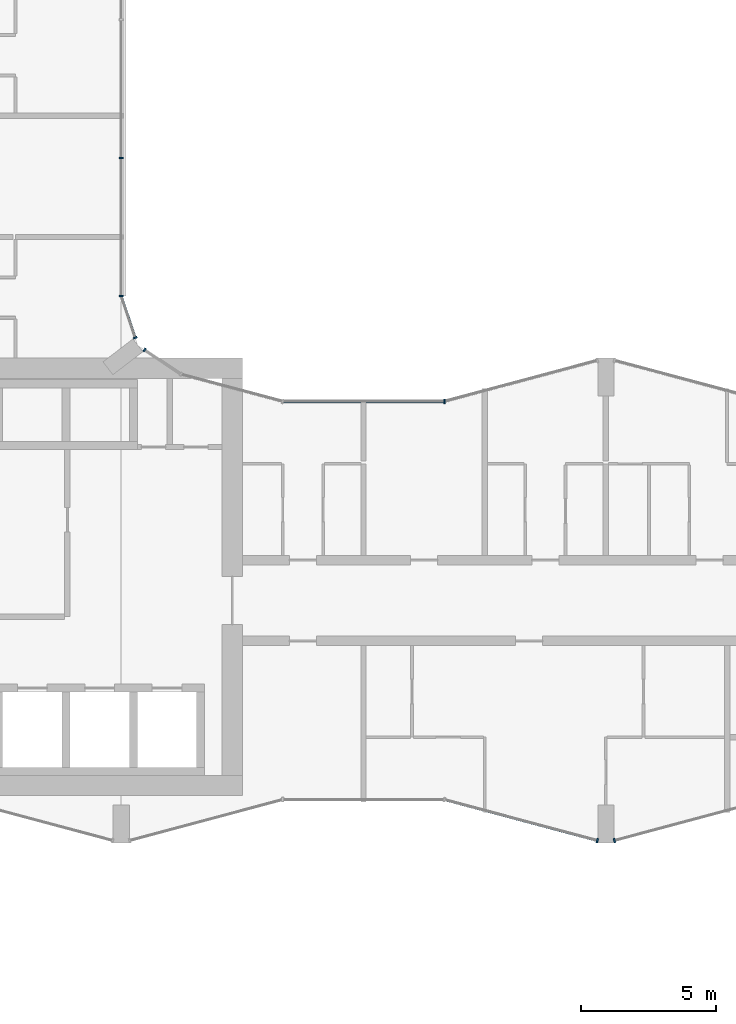
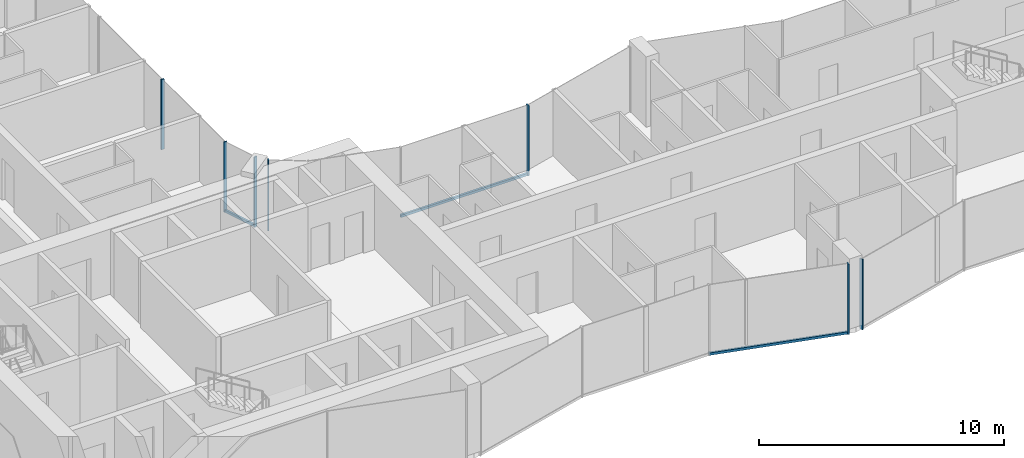
# One storey, part 4 of 24: 10 members, 6 elements without a shape of their own.
"""IFC4 building model written with IfcOpenShell, lengths in metres."""

from ifc_helpers import new_model, si_unit, direction, frame, origin, origin_2d, place, context, subcontext, project, spatial, rectangle, extrude, material, layer, layer_set, material_profile, profile_set, type_object, element, aggregate, save


model = new_model("IFC4")

# Units and contexts
model_context = context("Model", 3, precision=1e-05, world=origin(), true_north=direction((0.0, 1.0)))
body_context = subcontext(model_context, "Body", "Model", "MODEL_VIEW")
ifc_project = project(units=[si_unit("LENGTHUNIT", "METRE"), si_unit("AREAUNIT", "SQUARE_METRE"), si_unit("VOLUMEUNIT", "CUBIC_METRE"), si_unit("PLANEANGLEUNIT", "RADIAN"), si_unit("MASSUNIT", "GRAM", prefix="KILO")], contexts=[model_context])

# Site, building, storey
site_placement = place(None, origin())
site = spatial("IfcSite", under=ifc_project, at=site_placement, CompositionType="ELEMENT")
building_placement = place(site_placement, origin())
building = spatial("IfcBuilding", under=site, at=building_placement, Name="Plateau Cross Towers", CompositionType="ELEMENT")
storey_placement = place(building_placement, frame((0.0, 0.0, 47.800048828125)))
storey = spatial("IfcBuildingStorey", under=building, at=storey_placement, Name="L11", CompositionType="ELEMENT", Elevation=47.800048828125)

# Curtain wall, member
ifc_material_1 = material(Name="Dark low-iron glass", Category="glass")
ifc_layer_1 = layer(ifc_material_1, 0.239990234375)
ifc_layer_set_1 = layer_set([ifc_layer_1], Name="Dark low-iron glass")
curtain_wall_type_1 = type_object("IfcCurtainWallType", Name="Curtain wall flush unitised CW-B", PredefinedType="NOTDEFINED", material=ifc_layer_set_1)
curtain_wall_1_placement = place(storey_placement, origin())
curtain_wall_1 = element("IfcCurtainWall", 1, at=curtain_wall_1_placement, inside=storey, type_object=curtain_wall_type_1, Name="ENV/A/L11/A202_174", PredefinedType="NOTDEFINED")
ifc_material_2 = material(Name="Black anodised aluminium", Category="aluminium")
ifc_material_profile_1 = material_profile(ifc_material_2, rectangle(XDim=0.06005859375, YDim=0.139892578125, at=origin_2d()), Name="MULLION 60x140")
ifc_profile_set_1 = profile_set([ifc_material_profile_1], Name="Black anodised aluminium")
member_type_1 = type_object("IfcMemberType", Name="Mullion 60x140 flush unitised", PredefinedType="MULLION", material=ifc_profile_set_1)
member_1_placement = place(storey_placement, frame((18.86962890625, 18.30908203125, -0.25), z_axis=(0.0, 0.0, 1.0), x_axis=(-0.831521253329, 0.555492938984, 0.0)))
member_1 = element("IfcMember", 2, at=member_1_placement, type_object=member_type_1, Name="CW-B mullion 2", PredefinedType="MULLION", context=body_context, shape_type="SweptSolid", body=[
    extrude(rectangle(XDim=0.06005859375, YDim=0.139892578125, at=origin_2d()), origin(), (0.0, 0.0, 1.0), 3.5),
])
aggregate(curtain_wall_1, [member_1])

curtain_wall_2_placement = place(storey_placement, origin())
curtain_wall_2 = element("IfcCurtainWall", 3, at=curtain_wall_2_placement, inside=storey, type_object=curtain_wall_type_1, Name="ENV/A/L11/A185_188", PredefinedType="NOTDEFINED")
member_2_placement = place(storey_placement, frame((18.523681640625, 18.760009765625, -0.25), z_axis=(0.0, 0.0, 1.0), x_axis=(-0.321469161574, 0.94692004845, 0.0)))
member_2 = element("IfcMember", 4, at=member_2_placement, type_object=member_type_1, Name="CW-B mullion 1", PredefinedType="MULLION", context=body_context, shape_type="SweptSolid", body=[
    extrude(rectangle(XDim=0.06005859375, YDim=0.139892578125, at=origin_2d()), origin(), (0.0, 0.0, 1.0), 3.5),
])

# Curtain wall, members
curtain_wall_3_placement = place(storey_placement, origin())
curtain_wall_3 = element("IfcCurtainWall", 5, at=curtain_wall_3_placement, inside=storey, type_object=curtain_wall_type_1, Name="ENV/A/L11/A180_203", PredefinedType="NOTDEFINED")
member_3_placement = place(storey_placement, frame((18.0, 20.30224609375, -0.25), z_axis=(0.0, 0.0, 1.0), x_axis=(0.0, 1.0, 0.0)))
member_3 = element("IfcMember", 6, at=member_3_placement, type_object=member_type_1, Name="CW-B mullion 1", PredefinedType="MULLION", context=body_context, shape_type="SweptSolid", body=[
    extrude(rectangle(XDim=0.06005859375, YDim=0.139892578125, at=origin_2d()), origin(), (0.0, 0.0, 1.0), 3.5),
])
member_4_placement = place(storey_placement, frame((18.0, 25.434814453125, -0.25), z_axis=(0.0, 0.0, 1.0), x_axis=(0.0, 1.0, 0.0)))
member_4 = element("IfcMember", 7, at=member_4_placement, type_object=member_type_1, Name="CW-B mullion 2", PredefinedType="MULLION", context=body_context, shape_type="SweptSolid", body=[
    extrude(rectangle(XDim=0.06005859375, YDim=0.139892578125, at=origin_2d()), origin(), (0.0, 0.0, 1.0), 3.5),
])
aggregate(curtain_wall_3, [member_3, member_4])

# Curtain wall, member
ifc_layer_2 = layer(ifc_material_1, 0.260009765625)
ifc_layer_set_2 = layer_set([ifc_layer_2], Name="Dark low-iron glass")
curtain_wall_type_2 = type_object("IfcCurtainWallType", Name="Curtain wall fluted unitised CW-A", PredefinedType="NOTDEFINED", material=ifc_layer_set_2)
curtain_wall_4_placement = place(storey_placement, origin())
curtain_wall_4 = element("IfcCurtainWall", 8, at=curtain_wall_4_placement, inside=storey, type_object=curtain_wall_type_2, Name="ENV/A/L11/A300_16", PredefinedType="NOTDEFINED")
ifc_material_profile_2 = material_profile(ifc_material_2, rectangle(XDim=0.06005859375, YDim=0.159912109375, at=origin_2d()), Name="MULLION 60x160")
ifc_profile_set_2 = profile_set([ifc_material_profile_2], Name="Black anodised aluminium")
member_type_2 = type_object("IfcMemberType", Name="Mullion 60x160 fluted unitised", PredefinedType="MULLION", material=ifc_profile_set_2)
member_5_placement = place(storey_placement, frame((35.68212890625, 0.085205078125, -0.25), z_axis=(0.0, 0.0, 1.0), x_axis=(0.965957983404, -0.258699003279, 0.0)))
member_5 = element("IfcMember", 9, at=member_5_placement, type_object=member_type_2, Name="CW-A mullion 2", PredefinedType="MULLION", context=body_context, shape_type="SweptSolid", body=[
    extrude(rectangle(XDim=0.06005859375, YDim=0.159912109375, at=origin_2d()), origin(), (0.0, 0.0, 1.0), 3.5),
])

curtain_wall_5_placement = place(storey_placement, origin())
curtain_wall_5 = element("IfcCurtainWall", 10, at=curtain_wall_5_placement, inside=storey, type_object=curtain_wall_type_2, Name="ENV/A/L11/A363_1", PredefinedType="NOTDEFINED")
member_6_placement = place(storey_placement, frame((36.31787109375, 0.085205078125, -0.25), z_axis=(0.0, 0.0, 1.0), x_axis=(0.965957983404, 0.258699003279, 0.0)))
member_6 = element("IfcMember", 11, at=member_6_placement, type_object=member_type_2, Name="CW-A mullion 1", PredefinedType="MULLION", context=body_context, shape_type="SweptSolid", body=[
    extrude(rectangle(XDim=0.06005859375, YDim=0.159912109375, at=origin_2d()), origin(), (0.0, 0.0, 1.0), 3.5),
])
aggregate(curtain_wall_5, [member_6])

curtain_wall_6_placement = place(storey_placement, origin())
curtain_wall_6 = element("IfcCurtainWall", 12, at=curtain_wall_6_placement, inside=storey, type_object=curtain_wall_type_2, Name="ENV/A/L11/A300_164", PredefinedType="NOTDEFINED")
member_7_placement = place(storey_placement, frame((30.0, 16.39306640625, -0.25), z_axis=(0.0, 0.0, 1.0), x_axis=(-1.0, 0.0, 0.0)))
member_7 = element("IfcMember", 13, at=member_7_placement, type_object=member_type_2, Name="CW-A mullion 1", PredefinedType="MULLION", context=body_context, shape_type="SweptSolid", body=[
    extrude(rectangle(XDim=0.06005859375, YDim=0.159912109375, at=origin_2d()), origin(), (0.0, 0.0, 1.0), 3.5),
])

# Member
ifc_material_profile_3 = material_profile(ifc_material_2, rectangle(XDim=0.10009765625, YDim=0.1201171875, at=origin_2d()), Name="TRANSOM 100x120")
ifc_profile_set_3 = profile_set([ifc_material_profile_3], Name="Black anodised aluminium")
member_type_3 = type_object("IfcMemberType", Name="Transom 100x120 flush unitised", PredefinedType="USERDEFINED", material=ifc_profile_set_3)
member_8_placement = place(storey_placement, frame((18.523681640625, 18.760009765625, -0.18994140625), z_axis=(-0.321529174838, 0.946899672472, 0.0), x_axis=(-0.946899672472, -0.321529174838, 0.0)))
member_8 = element("IfcMember", 14, at=member_8_placement, type_object=member_type_3, Name="CW-B transom", ObjectType="TRANSOM", PredefinedType="USERDEFINED", context=body_context, shape_type="SweptSolid", body=[
    extrude(rectangle(XDim=0.10009765625, YDim=0.1201171875, at=origin_2d()), origin(), (0.0, 0.0, 1.0), 1.628662109375),
])

aggregate(curtain_wall_2, [member_2, member_8])

ifc_material_profile_4 = material_profile(ifc_material_2, rectangle(XDim=0.10009765625, YDim=0.1201171875, at=origin_2d()), Name="TRANSOM 100x120")
ifc_profile_set_4 = profile_set([ifc_material_profile_4], Name="Black anodised aluminium")
member_type_4 = type_object("IfcMemberType", Name="Transom 100x120 fluted unitised", PredefinedType="USERDEFINED", material=ifc_profile_set_4)
member_9_placement = place(storey_placement, frame((30.0, 1.60693359375, -0.18994140625), z_axis=(0.965959534794, -0.258693210465, 0.0), x_axis=(0.258693210465, 0.965959534794, 0.0)))
member_9 = element("IfcMember", 15, at=member_9_placement, type_object=member_type_4, Name="CW-A transom", ObjectType="TRANSOM", PredefinedType="USERDEFINED", context=body_context, shape_type="SweptSolid", body=[
    extrude(rectangle(XDim=0.10009765625, YDim=0.1201171875, at=origin_2d()), origin(), (0.0, 0.0, 1.0), 5.88232421875),
])

aggregate(curtain_wall_4, [member_5, member_9])

member_10_placement = place(storey_placement, frame((30.0, 16.39306640625, -0.18994140625), z_axis=(-1.0, 0.0, 0.0), x_axis=(0.0, -1.0, 0.0)))
member_10 = element("IfcMember", 16, at=member_10_placement, type_object=member_type_4, Name="CW-A transom", ObjectType="TRANSOM", PredefinedType="USERDEFINED", context=body_context, shape_type="SweptSolid", body=[
    extrude(rectangle(XDim=0.10009765625, YDim=0.1201171875, at=origin_2d()), origin(), (0.0, 0.0, 1.0), 6.0),
])

aggregate(curtain_wall_6, [member_7, member_10])

save(model, "model.ifc")
